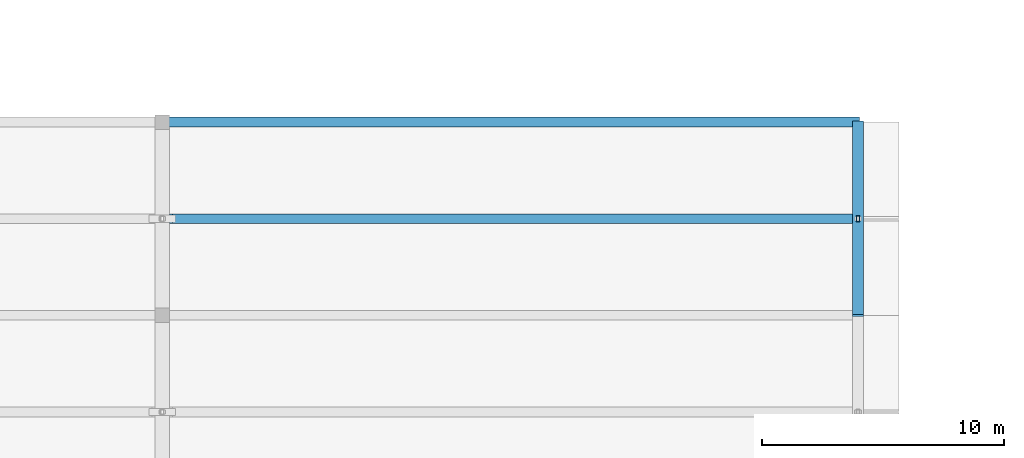
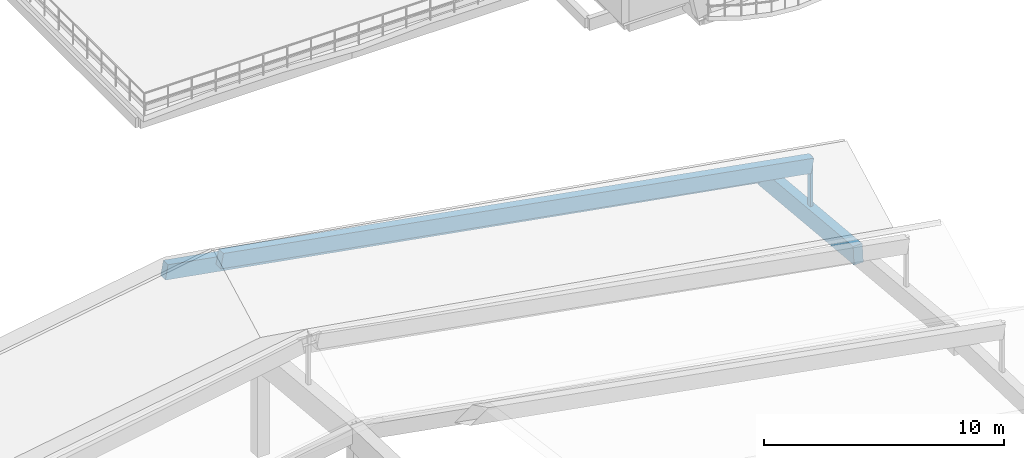
# One storey, part 39 of 109: 3 beams, 1 member.
"""IFC4 building model written with IfcOpenShell, lengths in metres."""

from ifc_helpers import new_model, si_unit, direction, frame, origin, origin_2d, place, context, subcontext, project, spatial, rectangle, hollow_rectangle, extrude, material, material_profile, profile_set, type_object, element, save


model = new_model("IFC4")

# Units and contexts
model_context = context("Model", 3, precision=1e-05, world=origin(), true_north=direction((0.0, 1.0)))
body_context = subcontext(model_context, "Body", "Model", "MODEL_VIEW")
ifc_project = project(units=[si_unit("LENGTHUNIT", "METRE"), si_unit("AREAUNIT", "SQUARE_METRE"), si_unit("VOLUMEUNIT", "CUBIC_METRE"), si_unit("PLANEANGLEUNIT", "RADIAN"), si_unit("MASSUNIT", "GRAM", prefix="KILO")], contexts=[model_context])

# Site, building, storey
site_placement = place(None, origin())
site = spatial("IfcSite", under=ifc_project, at=site_placement, CompositionType="ELEMENT")
building_placement = place(site_placement, origin())
building = spatial("IfcBuilding", under=site, at=building_placement, Name="Zavelmont Quarter", CompositionType="ELEMENT")
storey_placement = place(building_placement, frame((0.0, 0.0, 8.0)))
storey = spatial("IfcBuildingStorey", under=building, at=storey_placement, Name="L02", CompositionType="ELEMENT", Elevation=8.0)

# Beams
ifc_material_1 = material(Name="Concrete C40/50", Category="concrete")
ifc_material_profile_1 = material_profile(ifc_material_1, rectangle(XDim=0.39990234375, YDim=0.75, at=origin_2d()), Name="RC400X750")
ifc_profile_set_1 = profile_set([ifc_material_profile_1], Name="Concrete C40/50")
beam_type_1 = type_object("IfcBeamType", Name="BM05", PredefinedType="BEAM", material=ifc_profile_set_1)
beam_1_placement = place(storey_placement, frame((84.0, 86.0, 4.429931640625), z_axis=(0.984681036413, 0.0, -0.174365296229), x_axis=(0.0, 1.0, 0.0)))
element("IfcBeam", 1, at=beam_1_placement, inside=storey, type_object=beam_type_1, Name="L02 beam BM05 13/N to 17/N", PredefinedType="BEAM", context=body_context, shape_type="SweptSolid", body=[
    extrude(rectangle(XDim=0.39990234375, YDim=0.75, at=origin_2d()), origin(), (0.0, 0.0, 1.0), 29.248046875),
])
beam_2_placement = place(storey_placement, frame((84.360107421875, 82.0, 7.304931640625), z_axis=(0.984299788364, 0.0, -0.176504749585), x_axis=(0.0, 1.0, 0.0)))
element("IfcBeam", 2, at=beam_2_placement, inside=storey, type_object=beam_type_1, Name="L02 beam BM05 13/M to 17/M", PredefinedType="BEAM", context=body_context, shape_type="SweptSolid", body=[
    extrude(rectangle(XDim=0.39990234375, YDim=0.75, at=origin_2d()), origin(), (0.0, 0.0, 1.0), 28.8935546875),
])
ifc_material_profile_2 = material_profile(ifc_material_1, rectangle(XDim=0.449951171875, YDim=0.89990234375, at=origin_2d()), Name="RC450X900")
ifc_profile_set_2 = profile_set([ifc_material_profile_2], Name="Concrete C40/50")
beam_type_2 = type_object("IfcBeamType", Name="BM06", PredefinedType="BEAM", material=ifc_profile_set_2)
beam_3_placement = place(storey_placement, frame((112.800048828125, 78.0, 0.0048828125), z_axis=(0.0, 0.995634226059, -0.093340708693), x_axis=(-1.0, 0.0, 0.0)))
element("IfcBeam", 3, at=beam_3_placement, inside=storey, type_object=beam_type_2, Name="L02 beam BM06 17/M to 17/N", PredefinedType="BEAM", context=body_context, shape_type="SweptSolid", body=[
    extrude(rectangle(XDim=0.449951171875, YDim=0.89990234375, at=origin_2d()), origin(), (0.0, 0.0, 1.0), 8.03515625),
])

# Member
ifc_material_2 = material(Name="Steel S355", Category="steel")
ifc_material_profile_3 = material_profile(ifc_material_2, hollow_rectangle(XDim=0.139892578125, YDim=0.239990234375, WallThickness=0.010009765625, at=origin_2d()), Name="RHS 240X140X10")
ifc_profile_set_3 = profile_set([ifc_material_profile_3], Name="Steel S355")
member_type = type_object("IfcMemberType", Name="CLM1", PredefinedType="CHORD", material=ifc_profile_set_3)
member_placement = place(storey_placement, frame((112.800048828125, 82.0, -0.070068359375), z_axis=(0.0, 0.0, 1.0), x_axis=(1.0, 0.0, 0.0)))
element("IfcMember", 4, at=member_placement, inside=storey, type_object=member_type, Name="L02 member CLM1 17/M to 17/M", PredefinedType="CHORD", context=body_context, shape_type="SweptSolid", body=[
    extrude(hollow_rectangle(XDim=0.139892578125, YDim=0.239990234375, WallThickness=0.010009765625, at=origin_2d()), origin(), (0.0, 0.0, 1.0), 2.650146484375),
])

save(model, "model.ifc")
